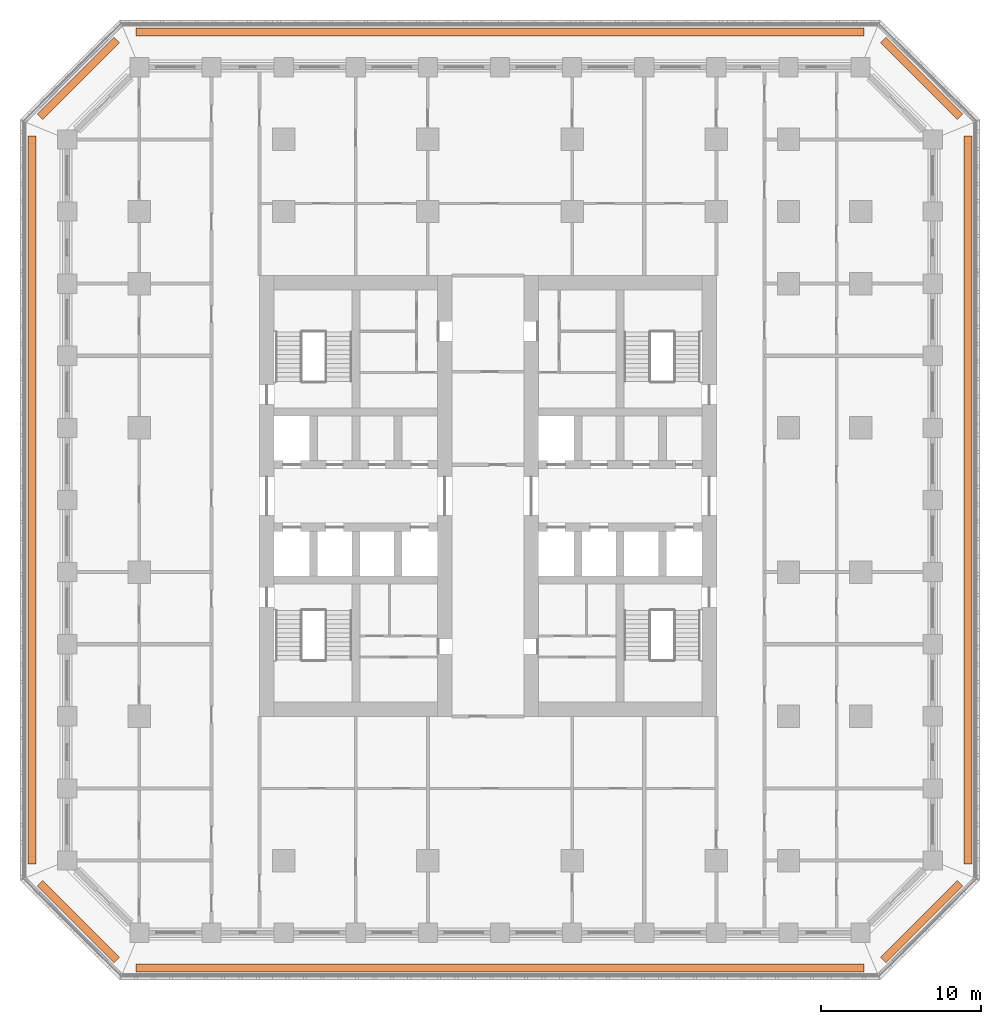
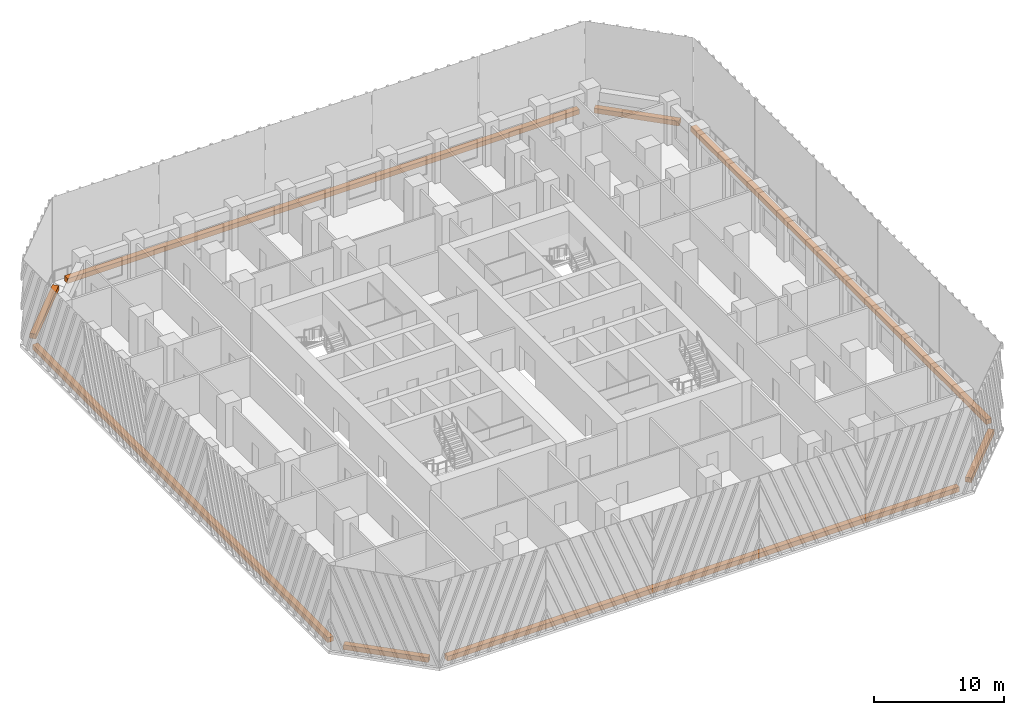
# One storey, part 20 of 20: 8 proxies.
"""IFC4 building model written with IfcOpenShell, lengths in metres."""

from ifc_helpers import new_model, si_unit, direction, frame, origin, origin_2d, place, context, subcontext, project, spatial, rectangle, extrude, material, type_object, element, save


model = new_model("IFC4")

# Units and contexts
model_context = context("Model", 3, precision=1e-05, world=origin(), true_north=direction((0.0, 1.0)))
body_context = subcontext(model_context, "Body", "Model", "MODEL_VIEW")
ifc_project = project(units=[si_unit("LENGTHUNIT", "METRE"), si_unit("AREAUNIT", "SQUARE_METRE"), si_unit("VOLUMEUNIT", "CUBIC_METRE"), si_unit("PLANEANGLEUNIT", "RADIAN"), si_unit("MASSUNIT", "GRAM", prefix="KILO")], contexts=[model_context])

# Site, building, storey
site_placement = place(None, origin())
site = spatial("IfcSite", under=ifc_project, at=site_placement, CompositionType="ELEMENT")
building_placement = place(site_placement, origin())
building = spatial("IfcBuilding", under=site, at=building_placement, Name="Corbel Stack Research Tower", CompositionType="ELEMENT")
storey_placement = place(building_placement, frame((0.0, 0.0, 98.39990234375)))
storey = spatial("IfcBuildingStorey", under=building, at=storey_placement, Name="L22", CompositionType="ELEMENT", Elevation=98.39990234375)

# Proxies
ifc_material = material(Name="Concrete C45/55", Category="concrete")
building_element_proxy_type = type_object("IfcBuildingElementProxyType", Name="Planter box", PredefinedType="USERDEFINED", material=ifc_material)
proxy_1_placement = place(storey_placement, frame((4.5, -24.699951171875, 0.0), z_axis=(0.0, 0.0, 1.0), x_axis=(1.0, 0.0, 0.0)))
element("IfcBuildingElementProxy", 1, at=proxy_1_placement, inside=storey, type_object=building_element_proxy_type, Name="Planter L22 S", ObjectType="PLANTER", PredefinedType="USERDEFINED", context=body_context, shape_type="SweptSolid", body=[
    extrude(rectangle(XDim=45.41064453125, YDim=0.5, at=origin_2d()), origin(), (0.0, 0.0, 1.0), 0.449951171875),
])
proxy_2_placement = place(storey_placement, frame((30.8056640625, -21.8056640625, 0.0), z_axis=(0.0, 0.0, 1.0), x_axis=(0.707106781187, 0.707106781187, 0.0)))
element("IfcBuildingElementProxy", 2, at=proxy_2_placement, inside=storey, type_object=building_element_proxy_type, Name="Planter L22 SE", ObjectType="PLANTER", PredefinedType="USERDEFINED", context=body_context, shape_type="SweptSolid", body=[
    extrude(rectangle(XDim=6.774658203125, YDim=0.5, at=origin_2d()), origin(), (0.0, 0.0, 1.0), 0.449951171875),
])
proxy_3_placement = place(storey_placement, frame((33.699951171875, 4.5, 0.0), z_axis=(0.0, 0.0, 1.0), x_axis=(0.0, 1.0, 0.0)))
element("IfcBuildingElementProxy", 3, at=proxy_3_placement, inside=storey, type_object=building_element_proxy_type, Name="Planter L22 E", ObjectType="PLANTER", PredefinedType="USERDEFINED", context=body_context, shape_type="SweptSolid", body=[
    extrude(rectangle(XDim=45.41064453125, YDim=0.5, at=origin_2d()), origin(), (0.0, 0.0, 1.0), 0.449951171875),
])
proxy_4_placement = place(storey_placement, frame((30.8056640625, 30.8056640625, 0.0), z_axis=(0.0, 0.0, 1.0), x_axis=(-0.707106781187, 0.707106781187, 0.0)))
element("IfcBuildingElementProxy", 4, at=proxy_4_placement, inside=storey, type_object=building_element_proxy_type, Name="Planter L22 NE", ObjectType="PLANTER", PredefinedType="USERDEFINED", context=body_context, shape_type="SweptSolid", body=[
    extrude(rectangle(XDim=6.774658203125, YDim=0.5, at=origin_2d()), origin(), (0.0, 0.0, 1.0), 0.449951171875),
])
proxy_5_placement = place(storey_placement, frame((4.5, 33.699951171875, 0.0), z_axis=(0.0, 0.0, 1.0), x_axis=(-1.0, 0.0, 0.0)))
element("IfcBuildingElementProxy", 5, at=proxy_5_placement, inside=storey, type_object=building_element_proxy_type, Name="Planter L22 N", ObjectType="PLANTER", PredefinedType="USERDEFINED", context=body_context, shape_type="SweptSolid", body=[
    extrude(rectangle(XDim=45.41064453125, YDim=0.5, at=origin_2d()), origin(), (0.0, 0.0, 1.0), 0.449951171875),
])
proxy_6_placement = place(storey_placement, frame((-21.8056640625, 30.8056640625, 0.0), z_axis=(0.0, 0.0, 1.0), x_axis=(-0.707106781187, -0.707106781187, 0.0)))
element("IfcBuildingElementProxy", 6, at=proxy_6_placement, inside=storey, type_object=building_element_proxy_type, Name="Planter L22 NW", ObjectType="PLANTER", PredefinedType="USERDEFINED", context=body_context, shape_type="SweptSolid", body=[
    extrude(rectangle(XDim=6.774658203125, YDim=0.5, at=origin_2d()), origin(), (0.0, 0.0, 1.0), 0.449951171875),
])
proxy_7_placement = place(storey_placement, frame((-24.699951171875, 4.5, 0.0), z_axis=(0.0, 0.0, 1.0), x_axis=(0.0, -1.0, 0.0)))
element("IfcBuildingElementProxy", 7, at=proxy_7_placement, inside=storey, type_object=building_element_proxy_type, Name="Planter L22 W", ObjectType="PLANTER", PredefinedType="USERDEFINED", context=body_context, shape_type="SweptSolid", body=[
    extrude(rectangle(XDim=45.41064453125, YDim=0.5, at=origin_2d()), origin(), (0.0, 0.0, 1.0), 0.449951171875),
])
proxy_8_placement = place(storey_placement, frame((-21.8056640625, -21.8056640625, 0.0), z_axis=(0.0, 0.0, 1.0), x_axis=(0.707106781187, -0.707106781187, 0.0)))
element("IfcBuildingElementProxy", 8, at=proxy_8_placement, inside=storey, type_object=building_element_proxy_type, Name="Planter L22 SW", ObjectType="PLANTER", PredefinedType="USERDEFINED", context=body_context, shape_type="SweptSolid", body=[
    extrude(rectangle(XDim=6.774658203125, YDim=0.5, at=origin_2d()), origin(), (0.0, 0.0, 1.0), 0.449951171875),
])

save(model, "model.ifc")
